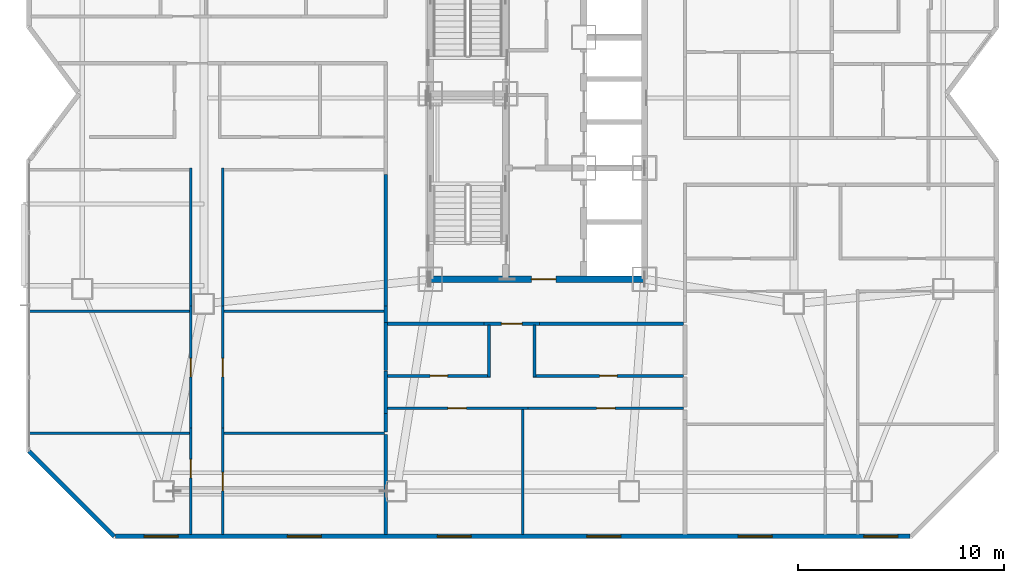
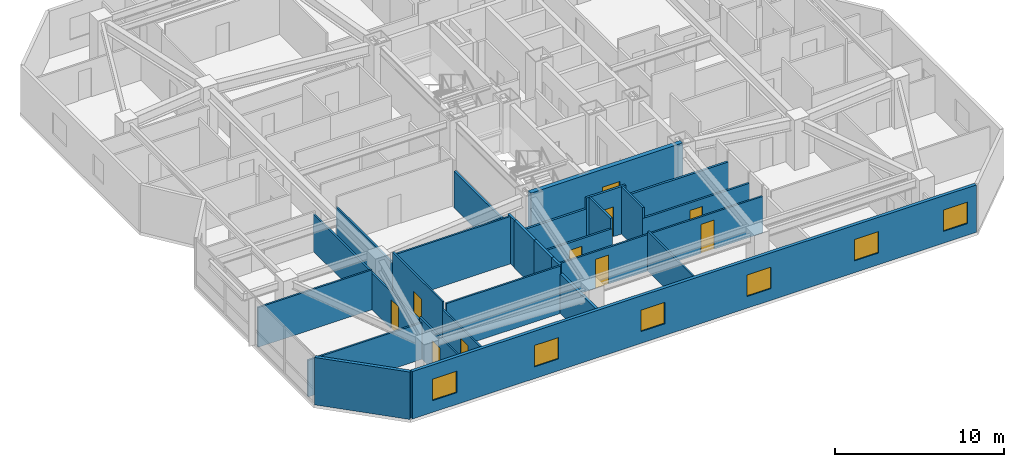
# One storey, part 11 of 17: 29 walls, 10 doors, 6 windows, 16 openings.
"""IFC4 building model written with IfcOpenShell, lengths in metres."""

import ifcopenshell
import ifcopenshell.guid

model = None  # the IFC model being written
_history = None  # IfcOwnerHistory: only IFC2X3 demands one
_inside = {}  # id of a spatial element -> (the spatial element, [elements in it])
_under = {}  # id of a project, library or spatial element -> (it, [spatial elements below it])
_declared = {}  # id of a project -> (the project, [libraries it declares])
_typed = {}  # id of a type object -> (the type object, [elements of that type])
_made_of = {}  # id of a material, layer set ... -> (it, [elements and type objects made of it])


def new_model(schema):
    """Start an empty IFC model of exactly this schema.

    Asked for "IFC4X3", IfcOpenShell would pick the latest addendum, in which some entities
    have other attributes; the version numbers below select the first issue.
    IFC2X3 requires an IfcOwnerHistory on every rooted entity: one is made here for all.
    """
    global model, _history
    if schema == "IFC4X3":
        model = ifcopenshell.file(schema_version=(4, 3, 0, 0))
    else:
        model = ifcopenshell.file(schema=schema)
    _inside.clear()
    _under.clear()
    _declared.clear()
    _typed.clear()
    _made_of.clear()
    _history = None
    if model.schema == "IFC2X3":
        org = make("IfcOrganization", Name="unknown")
        user = make(
            "IfcPersonAndOrganization",
            ThePerson=make("IfcPerson", FamilyName="unknown"),
            TheOrganization=org,
        )
        app = make(
            "IfcApplication",
            ApplicationDeveloper=org,
            Version="unknown",
            ApplicationFullName="unknown",
            ApplicationIdentifier="unknown",
        )
        _history = make(
            "IfcOwnerHistory",
            OwningUser=user,
            OwningApplication=app,
            ChangeAction="ADDED",
            CreationDate=0,
        )
    return model


def make(cls, **values):
    """One entity of the class cls with the attributes given. An attribute that is None is left unset."""
    return model.create_entity(
        cls, **{name: value for name, value in values.items() if value is not None}
    )


def rooted(cls, **values):
    """An entity with a GlobalId (a new one), such as an element, a storey or a relation."""
    return make(cls, GlobalId=ifcopenshell.guid.new(), OwnerHistory=_history, **values)


def si_unit(unit_type, name, prefix=None):
    """IfcSIUnit, for example si_unit("LENGTHUNIT", "METRE", prefix="MILLI")."""
    return make("IfcSIUnit", UnitType=unit_type, Prefix=prefix, Name=name)


def assignment(units):
    """IfcUnitAssignment: the units of a project."""
    return None if units is None else make("IfcUnitAssignment", Units=units)


def point(xyz):
    """IfcCartesianPoint."""
    return None if xyz is None else make("IfcCartesianPoint", Coordinates=xyz)


def direction(xyz):
    """IfcDirection."""
    return None if xyz is None else make("IfcDirection", DirectionRatios=xyz)


def frame(location, z_axis=None, x_axis=None):
    """IfcAxis2Placement3D, a coordinate frame: its origin and axes. An axis left out is left unset."""
    return make(
        "IfcAxis2Placement3D",
        Location=point(location),
        Axis=direction(z_axis),
        RefDirection=direction(x_axis),
    )


def frame_2d(location, x_axis=None):
    """IfcAxis2Placement2D, a coordinate frame in the plane: its origin and x axis."""
    return make(
        "IfcAxis2Placement2D", Location=point(location), RefDirection=direction(x_axis)
    )


def origin():
    """The frame at (0, 0, 0) with its axes left unset."""
    return frame((0.0, 0.0, 0.0))


def place(relative_to, where):
    """IfcLocalPlacement: puts the frame where relative to a parent placement (None: the world)."""
    return make(
        "IfcLocalPlacement", PlacementRelTo=relative_to, RelativePlacement=where
    )


def context(
    kind, dimensions, precision=None, world=None, true_north=None, identifier=None
):
    """IfcGeometricRepresentationContext, for example the 3D "Model" context."""
    return make(
        "IfcGeometricRepresentationContext",
        ContextIdentifier=identifier,
        ContextType=kind,
        CoordinateSpaceDimension=dimensions,
        Precision=precision,
        WorldCoordinateSystem=world,
        TrueNorth=true_north,
    )


def subcontext(parent, identifier, kind, view, scale=None):
    """IfcGeometricRepresentationSubContext, for example "Body" below "Model"."""
    return make(
        "IfcGeometricRepresentationSubContext",
        ContextIdentifier=identifier,
        ContextType=kind,
        ParentContext=parent,
        TargetScale=scale,
        TargetView=view,
    )


def project(units=None, contexts=None):
    """IfcProject with its units and contexts."""
    return rooted(
        "IfcProject",
        Name="project",
        RepresentationContexts=contexts,
        UnitsInContext=assignment(units),
    )


def spatial(cls, under=None, at=None, **own):
    """A site, building, storey or space (cls), placed at a placement, below another one or the project."""
    s = rooted(cls, ObjectPlacement=at, **own)
    if under is not None:
        _under.setdefault(under.id(), (under, []))[1].append(s)
    return s


def profile(cls, at=None, kind="AREA", **sizes):
    """A parametric profile (cls). Its sizes go by their IFC names, for example OverallWidth=200.0."""
    return make(cls, ProfileType=kind, Position=at, **sizes)


def rectangle(**sizes):
    """IfcRectangleProfileDef."""
    return profile("IfcRectangleProfileDef", **sizes)


def extrude(swept, where, along, depth):
    """IfcExtrudedAreaSolid: the profile swept, set in the frame where, extruded along a direction by depth."""
    return make(
        "IfcExtrudedAreaSolid",
        SweptArea=swept,
        Position=where,
        ExtrudedDirection=direction(along),
        Depth=depth,
    )


def shape(context_of_items, identifier, shape_type, items):
    """IfcShapeRepresentation: the items that make up one representation, for example the "Body"."""
    return make(
        "IfcShapeRepresentation",
        ContextOfItems=context_of_items,
        RepresentationIdentifier=identifier,
        RepresentationType=shape_type,
        Items=items,
    )


def material(Name=None, Category=None):
    """IfcMaterial."""
    return make("IfcMaterial", Name=Name, Category=Category)


def layer(
    of_material, thickness, ventilated=None, Name=None, Category=None, Priority=None
):
    """IfcMaterialLayer: one layer of a wall or slab, of a material (None: an air gap)."""
    return make(
        "IfcMaterialLayer",
        Material=of_material,
        LayerThickness=thickness,
        IsVentilated=ventilated,
        Name=Name,
        Category=Category,
        Priority=Priority,
    )


def layer_set(layers, Name=None):
    """IfcMaterialLayerSet."""
    return make("IfcMaterialLayerSet", MaterialLayers=layers, LayerSetName=Name)


def made_of(thing, what):
    """Note that an element or type object is made of a material, layer set ...; save() writes the relation."""
    if what is not None:
        _made_of.setdefault(what.id(), (what, []))[1].append(thing)
    return thing


def type_object(cls, material=None, **own):
    """A type object (cls), such as IfcWallType, which elements share."""
    return made_of(rooted(cls, **own), material)


def element(
    cls,
    number,
    at=None,
    inside=None,
    cuts=None,
    type_object=None,
    material=None,
    context=None,
    identifier="Body",
    shape_type=None,
    held_by="IfcProductDefinitionShape",
    body=None,
    shapes=None,
    **own,
):
    """One element of the class cls, such as IfcWall. Its Tag is "e" and its number.

    at: its placement. inside: the storey or other place that contains it. cuts: it is an
    opening in that element (IfcRelVoidsElement). A single representation is given by context,
    identifier, shape_type and body (its items); several are given by shapes. held_by: the class
    of the entity that holds the representations. save() writes the other relations.
    """
    e = rooted(cls, Tag="e%d" % number, ObjectPlacement=at, **own)
    if body is not None:
        shapes = [shape(context, identifier, shape_type, body)]
    if shapes is not None:
        e.Representation = make(held_by, Representations=shapes)
    if inside is not None:
        _inside.setdefault(inside.id(), (inside, []))[1].append(e)
    if cuts is not None:
        rooted(
            "IfcRelVoidsElement", RelatingBuildingElement=cuts, RelatedOpeningElement=e
        )
    if type_object is not None:
        _typed.setdefault(type_object.id(), (type_object, []))[1].append(e)
    return made_of(e, material)


def fill(opening, filler):
    """IfcRelFillsElement: the door or window that sits in an opening."""
    return rooted(
        "IfcRelFillsElement",
        RelatingOpeningElement=opening,
        RelatedBuildingElement=filler,
    )


def aggregate(whole, parts):
    """IfcRelAggregates: a whole, such as a stair, and the parts it consists of."""
    return rooted("IfcRelAggregates", RelatingObject=whole, RelatedObjects=parts)


def save(model, path):
    """Write the relations noted so far, then the file.

    IfcRelAggregates (storeys below a building ...), IfcRelContainedInSpatialStructure (elements
    in a storey), IfcRelDefinesByType, IfcRelAssociatesMaterial and IfcRelDeclares: one each for
    every whole, place, type object, material and project.
    """
    for whole, parts in _under.values():
        aggregate(whole, parts)
    for where, things in _inside.values():
        rooted(
            "IfcRelContainedInSpatialStructure",
            RelatedElements=things,
            RelatingStructure=where,
        )
    for kind, things in _typed.values():
        rooted("IfcRelDefinesByType", RelatedObjects=things, RelatingType=kind)
    for what, things in _made_of.values():
        rooted("IfcRelAssociatesMaterial", RelatedObjects=things, RelatingMaterial=what)
    for by, libraries in _declared.values():
        rooted("IfcRelDeclares", RelatingContext=by, RelatedDefinitions=libraries)
    model.write(path)


model = new_model("IFC4")

# Units and contexts
model_context = context("Model", 3, precision=1e-05, world=origin(), true_north=direction((0.0, 1.0)))
body_context = subcontext(model_context, "Body", "Model", "MODEL_VIEW")
ifc_project = project(units=[si_unit("LENGTHUNIT", "METRE"), si_unit("AREAUNIT", "SQUARE_METRE"), si_unit("VOLUMEUNIT", "CUBIC_METRE"), si_unit("PLANEANGLEUNIT", "RADIAN"), si_unit("MASSUNIT", "GRAM", prefix="KILO")], contexts=[model_context])

# Site, building, storey
site_placement = place(None, origin())
site = spatial("IfcSite", under=ifc_project, at=site_placement, CompositionType="ELEMENT")
building_placement = place(site_placement, origin())
building = spatial("IfcBuilding", under=site, at=building_placement, Name="Khamvora Tower", CompositionType="ELEMENT")
storey_placement = place(building_placement, frame((0.0, 0.0, 131.10009765625)))
storey = spatial("IfcBuildingStorey", under=building, at=storey_placement, Name="L33", CompositionType="ELEMENT", Elevation=131.10009765625)

# Wall, opening, door
ifc_material_1 = material(Name="Concrete C50/60", Category="concrete")
ifc_layer_1 = layer(ifc_material_1, 0.300048828125)
ifc_layer_set_1 = layer_set([ifc_layer_1], Name="Concrete C50/60")
wall_type_1 = type_object("IfcWallType", Name="WAL-CORE-300", PredefinedType="SHEAR", material=ifc_layer_set_1)
wall_1_placement = place(storey_placement, frame((29.0, 19.0, 0.0), z_axis=(0.0, 0.0, 1.0), x_axis=(1.0, 0.0, 0.0)))
wall_1 = element("IfcWall", 1, at=wall_1_placement, inside=storey, type_object=wall_type_1, Name="L33 central core south wall", PredefinedType="SHEAR", context=body_context, shape_type="SweptSolid", body=[
    extrude(rectangle(XDim=10.39990234375, YDim=0.300048828125, at=frame_2d((5.199951171875, 0.0))), origin(), (0.0, 0.0, 1.0), 3.429931640625),
])
opening_1_placement = place(wall_1_placement, frame((4.89990234375, 0.0, 0.0)))
opening_1 = element("IfcOpeningElement", 2, at=opening_1_placement, cuts=wall_1, Name="Opening D-CR1", PredefinedType="OPENING", context=body_context, shape_type="SweptSolid", body=[
    extrude(rectangle(XDim=1.199951171875, YDim=2.14990234375, at=frame_2d((0.60009765625, 1.074951171875))), frame((0.0, 0.159912109375, 0.0), z_axis=(0.0, -1.0, 0.0), x_axis=(1.0, 0.0, 0.0)), (0.0, 0.0, 1.0), 0.320068359375),
])
ifc_material_2 = material(Name="Powder-Coated Steel and Hardwood Leaf", Category="steel")
door_type_1 = type_object("IfcDoorType", Name="DOR-CORR-1200", OperationType="NOTDEFINED", PredefinedType="DOOR", material=ifc_material_2)
door_1_placement = place(opening_1_placement, origin())
door_1 = element("IfcDoor", 3, at=door_1_placement, inside=storey, type_object=door_type_1, Name="L33 south core lobby to corridor fire door", OperationType="SINGLE_SWING_RIGHT", OverallHeight=2.14990234375, OverallWidth=1.199951171875, PredefinedType="DOOR", context=body_context, shape_type="SweptSolid", body=[
    extrude(rectangle(XDim=1.199951171875, YDim=2.14990234375, at=frame_2d((0.60009765625, 1.074951171875))), frame((0.0, 0.02490234375, 0.0), z_axis=(0.0, -1.0, 0.0), x_axis=(1.0, 0.0, 0.0)), (0.0, 0.0, 1.0), 0.050048828125),
])
fill(opening_1, door_1)

# Walls
ifc_material_3 = material(Name="Fire-Rated Drywall and Steel Stud", Category="steel")
ifc_layer_2 = layer(ifc_material_3, 0.14990234375)
ifc_layer_set_2 = layer_set([ifc_layer_2], Name="Fire-Rated Drywall and Steel Stud")
wall_type_2 = type_object("IfcWallType", Name="WAL-CORR-150", PredefinedType="STANDARD", material=ifc_layer_set_2)
wall_2_placement = place(storey_placement, frame((26.8349609375, 16.89990234375, 0.0), z_axis=(0.0, 0.0, 1.0), x_axis=(0.0, 1.0, 0.0)))
element("IfcWall", 4, at=wall_2_placement, inside=storey, type_object=wall_type_2, Name="L33 interior partition wall 013", PredefinedType="STANDARD", context=body_context, shape_type="SweptSolid", body=[
    extrude(rectangle(XDim=0.7890625, YDim=0.14990234375, at=frame_2d((0.39453125, 0.0))), origin(), (0.0, 0.0, 1.0), 3.429931640625),
])
wall_3_placement = place(storey_placement, frame((26.8349609375, 17.68896484375, 0.0), z_axis=(0.0, 0.0, 1.0), x_axis=(0.0, 1.0, 0.0)))
element("IfcWall", 5, at=wall_3_placement, inside=storey, type_object=wall_type_2, Name="L33 interior partition wall 014", PredefinedType="STANDARD", context=body_context, shape_type="SweptSolid", body=[
    extrude(rectangle(XDim=6.386962890625, YDim=0.14990234375, at=frame_2d((3.193359375, 0.0))), origin(), (0.0, 0.0, 1.0), 2.64697265625),
])

# Wall, opening, door
wall_4_placement = place(storey_placement, frame((34.299072265625, 16.8349609375, 0.0), z_axis=(0.0, 0.0, 1.0), x_axis=(-1.0, 0.0, 0.0)))
wall_4 = element("IfcWall", 6, at=wall_4_placement, inside=storey, type_object=wall_type_2, Name="L33 interior partition wall 022", PredefinedType="STANDARD", context=body_context, shape_type="SweptSolid", body=[
    extrude(rectangle(XDim=2.697998046875, YDim=0.14990234375, at=frame_2d((1.34912109375, 0.0))), origin(), (0.0, 0.0, 1.0), 3.429931640625),
])
opening_2_placement = place(wall_4_placement, frame((0.84912109375, 0.0, 0.0)))
opening_2 = element("IfcOpeningElement", 7, at=opening_2_placement, cuts=wall_4, Name="Opening D-U1", PredefinedType="OPENING", context=body_context, shape_type="SweptSolid", body=[
    extrude(rectangle(XDim=1.0, YDim=2.14990234375, at=frame_2d((0.5, 1.074951171875))), frame((0.0, 0.0849609375, 0.0), z_axis=(0.0, -1.0, 0.0), x_axis=(1.0, 0.0, 0.0)), (0.0, 0.0, 1.0), 0.169921875),
])
door_type_2 = type_object("IfcDoorType", Name="DOR-UNIT-1000", OperationType="NOTDEFINED", PredefinedType="DOOR", material=ifc_material_2)
door_2_placement = place(opening_2_placement, origin())
door_2 = element("IfcDoor", 8, at=door_2_placement, inside=storey, type_object=door_type_2, Name="L33 interior door COR-33SAH", OperationType="SINGLE_SWING_RIGHT", OverallHeight=2.14990234375, OverallWidth=1.0, PredefinedType="DOOR", context=body_context, shape_type="SweptSolid", body=[
    extrude(rectangle(XDim=1.0, YDim=2.14990234375, at=frame_2d((0.5, 1.074951171875))), frame((0.0, 0.02490234375, 0.0), z_axis=(0.0, -1.0, 0.0), x_axis=(1.0, 0.0, 0.0)), (0.0, 0.0, 1.0), 0.050048828125),
])
fill(opening_2, door_2)

# Walls
wall_5_placement = place(storey_placement, frame((31.60107421875, 16.8349609375, 0.0), z_axis=(0.0, 0.0, 1.0), x_axis=(-1.0, 0.0, 0.0)))
element("IfcWall", 9, at=wall_5_placement, inside=storey, type_object=wall_type_2, Name="L33 interior partition wall 023", PredefinedType="STANDARD", context=body_context, shape_type="SweptSolid", body=[
    extrude(rectangle(XDim=4.701171875, YDim=0.14990234375, at=frame_2d((2.3505859375, 0.0))), origin(), (0.0, 0.0, 1.0), 2.64697265625),
])
wall_6_placement = place(storey_placement, frame((41.300048828125, 16.8349609375, 0.0), z_axis=(0.0, 0.0, 1.0), x_axis=(-1.0, 0.0, 0.0)))
element("IfcWall", 10, at=wall_6_placement, inside=storey, type_object=wall_type_2, Name="L33 interior partition wall 024", PredefinedType="STANDARD", context=body_context, shape_type="SweptSolid", body=[
    extrude(rectangle(XDim=7.0009765625, YDim=0.14990234375, at=frame_2d((3.50048828125, 0.0))), origin(), (0.0, 0.0, 1.0), 2.64697265625),
])
ifc_material_4 = material(Name="Acoustic Double-Stud Fire Wall", Category="gypsum")
ifc_layer_3 = layer(ifc_material_4, 0.179931640625)
ifc_layer_set_3 = layer_set([ifc_layer_3], Name="Acoustic Double-Stud Fire Wall")
wall_type_3 = type_object("IfcWallType", Name="WAL-CORR-180", PredefinedType="STANDARD", material=ifc_layer_set_3)
wall_7_placement = place(storey_placement, frame((26.8349609375, 11.4580078125, 0.0), z_axis=(0.0, 0.0, 1.0), x_axis=(0.0, -1.0, 0.0)))
element("IfcWall", 11, at=wall_7_placement, inside=storey, type_object=wall_type_3, Name="L33 interior partition wall 063", PredefinedType="STANDARD", context=body_context, shape_type="SweptSolid", body=[
    extrude(rectangle(XDim=4.845947265625, YDim=0.179931640625, at=frame_2d((2.4228515625, 0.0))), origin(), (0.0, 0.0, 1.0), 2.8759765625),
])
wall_8_placement = place(storey_placement, frame((26.8349609375, 14.553955078125, 0.0), z_axis=(0.0, 0.0, 1.0), x_axis=(0.0, -1.0, 0.0)))
element("IfcWall", 12, at=wall_8_placement, inside=storey, type_object=wall_type_3, Name="L33 interior partition wall 065", PredefinedType="STANDARD", context=body_context, shape_type="SweptSolid", body=[
    extrude(rectangle(XDim=2.077880859375, YDim=0.179931640625, at=frame_2d((1.0390625, 0.0))), origin(), (0.0, 0.0, 1.0), 3.429931640625),
])
wall_9_placement = place(storey_placement, frame((26.8349609375, 16.89990234375, 0.0), z_axis=(0.0, 0.0, 1.0), x_axis=(0.0, -1.0, 0.0)))
element("IfcWall", 13, at=wall_9_placement, inside=storey, type_object=wall_type_3, Name="L33 interior partition wall 066", PredefinedType="STANDARD", context=body_context, shape_type="SweptSolid", body=[
    extrude(rectangle(XDim=2.345947265625, YDim=0.179931640625, at=frame_2d((1.1728515625, 0.0))), origin(), (0.0, 0.0, 1.0), 3.429931640625),
])
wall_10_placement = place(storey_placement, frame((26.8349609375, 12.47607421875, 0.0), z_axis=(0.0, 0.0, 1.0), x_axis=(0.0, -1.0, 0.0)))
element("IfcWall", 14, at=wall_10_placement, inside=storey, type_object=wall_type_3, Name="L33 interior partition wall 067", PredefinedType="STANDARD", context=body_context, shape_type="SweptSolid", body=[
    extrude(rectangle(XDim=0.88818359375, YDim=0.179931640625, at=frame_2d((0.444091796875, 0.0))), origin(), (0.0, 0.0, 1.0), 3.429931640625),
])
ifc_material_5 = material(Name="Precast concrete C40/50", Category="concrete")
ifc_layer_4 = layer(ifc_material_5, 0.219970703125)
ifc_layer_set_4 = layer_set([ifc_layer_4], Name="Precast concrete C40/50")
wall_type_4 = type_object("IfcWallType", Name="WAL-EXT-220", PredefinedType="STANDARD", material=ifc_layer_set_4)
wall_11_placement = place(storey_placement, frame((13.64599609375, 6.510009765625, 0.0), z_axis=(0.0, 0.0, 1.0), x_axis=(-0.707106781187, 0.707106781187, 0.0)))
element("IfcWall", 15, at=wall_11_placement, inside=storey, type_object=wall_type_4, Name="L33 exterior facade wall 01.1", PredefinedType="STANDARD", context=body_context, shape_type="SweptSolid", body=[
    extrude(rectangle(XDim=5.84912109375, YDim=0.219970703125, at=frame_2d((2.924560546875, 0.0))), origin(), (0.0, 0.0, 1.0), 3.429931640625),
])

# Wall, openings, windows
wall_12_placement = place(storey_placement, frame((52.282958984375, 6.510009765625, 0.0), z_axis=(0.0, 0.0, 1.0), x_axis=(-1.0, 0.0, 0.0)))
wall_12 = element("IfcWall", 16, at=wall_12_placement, inside=storey, type_object=wall_type_4, Name="L33 exterior facade wall 14.1", PredefinedType="STANDARD", context=body_context, shape_type="SweptSolid", body=[
    extrude(rectangle(XDim=38.56787109375, YDim=0.219970703125, at=frame_2d((19.283935546875, 0.0))), origin(), (0.0, 0.0, 1.0), 3.429931640625),
])
opening_3_placement = place(wall_12_placement, frame((35.530029296875, 0.0, 0.85009765625)))
opening_3 = element("IfcOpeningElement", 17, at=opening_3_placement, cuts=wall_12, Name="Opening WN-06", PredefinedType="OPENING", context=body_context, shape_type="SweptSolid", body=[
    extrude(rectangle(XDim=1.64990234375, YDim=1.550048828125, at=frame_2d((0.824951171875, 0.77490234375))), frame((0.0, 0.119873046875, 0.0), z_axis=(0.0, -1.0, 0.0), x_axis=(1.0, 0.0, 0.0)), (0.0, 0.0, 1.0), 0.239990234375),
])
opening_4_placement = place(wall_12_placement, frame((28.577880859375, 0.0, 0.85009765625)))
opening_4 = element("IfcOpeningElement", 18, at=opening_4_placement, cuts=wall_12, Name="Opening WN-06", PredefinedType="OPENING", context=body_context, shape_type="SweptSolid", body=[
    extrude(rectangle(XDim=1.64990234375, YDim=1.550048828125, at=frame_2d((0.824951171875, 0.77490234375))), frame((0.0, 0.119873046875, 0.0), z_axis=(0.0, -1.0, 0.0), x_axis=(1.0, 0.0, 0.0)), (0.0, 0.0, 1.0), 0.239990234375),
])
opening_5_placement = place(wall_12_placement, frame((21.298095703125, 0.0, 0.85009765625)))
opening_5 = element("IfcOpeningElement", 19, at=opening_5_placement, cuts=wall_12, Name="Opening WN-06", PredefinedType="OPENING", context=body_context, shape_type="SweptSolid", body=[
    extrude(rectangle(XDim=1.64990234375, YDim=1.550048828125, at=frame_2d((0.824951171875, 0.77490234375))), frame((0.0, 0.119873046875, 0.0), z_axis=(0.0, -1.0, 0.0), x_axis=(1.0, 0.0, 0.0)), (0.0, 0.0, 1.0), 0.239990234375),
])
opening_6_placement = place(wall_12_placement, frame((14.032958984375, 0.0, 0.85009765625)))
opening_6 = element("IfcOpeningElement", 20, at=opening_6_placement, cuts=wall_12, Name="Opening WN-06", PredefinedType="OPENING", context=body_context, shape_type="SweptSolid", body=[
    extrude(rectangle(XDim=1.64990234375, YDim=1.550048828125, at=frame_2d((0.824951171875, 0.77490234375))), frame((0.0, 0.119873046875, 0.0), z_axis=(0.0, -1.0, 0.0), x_axis=(1.0, 0.0, 0.0)), (0.0, 0.0, 1.0), 0.239990234375),
])
opening_7_placement = place(wall_12_placement, frame((6.68798828125, 0.0, 0.85009765625)))
opening_7 = element("IfcOpeningElement", 21, at=opening_7_placement, cuts=wall_12, Name="Opening WN-06", PredefinedType="OPENING", context=body_context, shape_type="SweptSolid", body=[
    extrude(rectangle(XDim=1.64990234375, YDim=1.550048828125, at=frame_2d((0.824951171875, 0.77490234375))), frame((0.0, 0.119873046875, 0.0), z_axis=(0.0, -1.0, 0.0), x_axis=(1.0, 0.0, 0.0)), (0.0, 0.0, 1.0), 0.239990234375),
])
opening_8_placement = place(wall_12_placement, frame((0.5869140625, 0.0, 0.85009765625)))
opening_8 = element("IfcOpeningElement", 22, at=opening_8_placement, cuts=wall_12, Name="Opening WN-06", PredefinedType="OPENING", context=body_context, shape_type="SweptSolid", body=[
    extrude(rectangle(XDim=1.64990234375, YDim=1.550048828125, at=frame_2d((0.824951171875, 0.77490234375))), frame((0.0, 0.119873046875, 0.0), z_axis=(0.0, -1.0, 0.0), x_axis=(1.0, 0.0, 0.0)), (0.0, 0.0, 1.0), 0.239990234375),
])
ifc_material_6 = material(Name="Low-E Laminated Double Glazing", Category="glass")
window_type = type_object("IfcWindowType", Name="WIN-VIS-1650x1550", PartitioningType="SINGLE_PANEL", PredefinedType="WINDOW", material=ifc_material_6)
window_1_placement = place(opening_3_placement, origin())
window_1 = element("IfcWindow", 23, at=window_1_placement, inside=storey, type_object=window_type, Name="L33 vision window 14.1.01", OverallHeight=1.550048828125, OverallWidth=1.64990234375, PartitioningType="SINGLE_PANEL", PredefinedType="WINDOW", context=body_context, shape_type="SweptSolid", body=[
    extrude(rectangle(XDim=1.64990234375, YDim=1.550048828125, at=frame_2d((0.824951171875, 0.77490234375))), frame((0.0, 0.030029296875, 0.0), z_axis=(0.0, -1.0, 0.0), x_axis=(1.0, 0.0, 0.0)), (0.0, 0.0, 1.0), 0.06005859375),
])
fill(opening_3, window_1)
window_2_placement = place(opening_4_placement, origin())
window_2 = element("IfcWindow", 24, at=window_2_placement, inside=storey, type_object=window_type, Name="L33 vision window 14.1.02", OverallHeight=1.550048828125, OverallWidth=1.64990234375, PartitioningType="SINGLE_PANEL", PredefinedType="WINDOW", context=body_context, shape_type="SweptSolid", body=[
    extrude(rectangle(XDim=1.64990234375, YDim=1.550048828125, at=frame_2d((0.824951171875, 0.77490234375))), frame((0.0, 0.030029296875, 0.0), z_axis=(0.0, -1.0, 0.0), x_axis=(1.0, 0.0, 0.0)), (0.0, 0.0, 1.0), 0.06005859375),
])
fill(opening_4, window_2)
window_3_placement = place(opening_5_placement, origin())
window_3 = element("IfcWindow", 25, at=window_3_placement, inside=storey, type_object=window_type, Name="L33 vision window 14.1.03", OverallHeight=1.550048828125, OverallWidth=1.64990234375, PartitioningType="SINGLE_PANEL", PredefinedType="WINDOW", context=body_context, shape_type="SweptSolid", body=[
    extrude(rectangle(XDim=1.64990234375, YDim=1.550048828125, at=frame_2d((0.824951171875, 0.77490234375))), frame((0.0, 0.030029296875, 0.0), z_axis=(0.0, -1.0, 0.0), x_axis=(1.0, 0.0, 0.0)), (0.0, 0.0, 1.0), 0.06005859375),
])
fill(opening_5, window_3)
window_4_placement = place(opening_6_placement, origin())
window_4 = element("IfcWindow", 26, at=window_4_placement, inside=storey, type_object=window_type, Name="L33 vision window 14.1.04", OverallHeight=1.550048828125, OverallWidth=1.64990234375, PartitioningType="SINGLE_PANEL", PredefinedType="WINDOW", context=body_context, shape_type="SweptSolid", body=[
    extrude(rectangle(XDim=1.64990234375, YDim=1.550048828125, at=frame_2d((0.824951171875, 0.77490234375))), frame((0.0, 0.030029296875, 0.0), z_axis=(0.0, -1.0, 0.0), x_axis=(1.0, 0.0, 0.0)), (0.0, 0.0, 1.0), 0.06005859375),
])
fill(opening_6, window_4)
window_5_placement = place(opening_7_placement, origin())
window_5 = element("IfcWindow", 27, at=window_5_placement, inside=storey, type_object=window_type, Name="L33 vision window 14.1.05", OverallHeight=1.550048828125, OverallWidth=1.64990234375, PartitioningType="SINGLE_PANEL", PredefinedType="WINDOW", context=body_context, shape_type="SweptSolid", body=[
    extrude(rectangle(XDim=1.64990234375, YDim=1.550048828125, at=frame_2d((0.824951171875, 0.77490234375))), frame((0.0, 0.030029296875, 0.0), z_axis=(0.0, -1.0, 0.0), x_axis=(1.0, 0.0, 0.0)), (0.0, 0.0, 1.0), 0.06005859375),
])
fill(opening_7, window_5)
window_6_placement = place(opening_8_placement, origin())
window_6 = element("IfcWindow", 28, at=window_6_placement, inside=storey, type_object=window_type, Name="L33 vision window 14.1.06", OverallHeight=1.550048828125, OverallWidth=1.64990234375, PartitioningType="SINGLE_PANEL", PredefinedType="WINDOW", context=body_context, shape_type="SweptSolid", body=[
    extrude(rectangle(XDim=1.64990234375, YDim=1.550048828125, at=frame_2d((0.824951171875, 0.77490234375))), frame((0.0, 0.030029296875, 0.0), z_axis=(0.0, -1.0, 0.0), x_axis=(1.0, 0.0, 0.0)), (0.0, 0.0, 1.0), 0.06005859375),
])
fill(opening_8, window_6)

# Wall, opening, door
ifc_material_7 = material(Name="Gypsum Plasterboard Partition", Category="gypsum")
ifc_layer_5 = layer(ifc_material_7, 0.1201171875)
ifc_layer_set_5 = layer_set([ifc_layer_5], Name="Gypsum Plasterboard Partition")
wall_type_5 = type_object("IfcWallType", Name="WAL-PART-120", PredefinedType="PARTITIONING", material=ifc_layer_set_5)
wall_13_placement = place(storey_placement, frame((17.35498046875, 6.612060546875, 0.0), z_axis=(0.0, 0.0, 1.0), x_axis=(0.0, 1.0, 0.0)))
wall_13 = element("IfcWall", 29, at=wall_13_placement, inside=storey, type_object=wall_type_5, Name="L33 interior partition wall 052", PredefinedType="PARTITIONING", context=body_context, shape_type="SweptSolid", body=[
    extrude(rectangle(XDim=5.159912109375, YDim=0.1201171875, at=frame_2d((2.580078125, 0.0))), origin(), (0.0, 0.0, 1.0), 2.8759765625),
])
opening_9_placement = place(wall_13_placement, frame((2.737060546875, 0.0, 0.0)))
opening_9 = element("IfcOpeningElement", 30, at=opening_9_placement, cuts=wall_13, Name="Opening D-RM1", PredefinedType="OPENING", context=body_context, shape_type="SweptSolid", body=[
    extrude(rectangle(XDim=0.89990234375, YDim=2.10009765625, at=frame_2d((0.449951171875, 1.050048828125))), frame((0.0, 0.070068359375, 0.0), z_axis=(0.0, -1.0, 0.0), x_axis=(1.0, 0.0, 0.0)), (0.0, 0.0, 1.0), 0.14013671875),
])
door_type_3 = type_object("IfcDoorType", Name="DOR-ROOM-900", OperationType="NOTDEFINED", PredefinedType="DOOR", material=ifc_material_2)
door_3_placement = place(opening_9_placement, origin())
door_3 = element("IfcDoor", 31, at=door_3_placement, inside=storey, type_object=door_type_3, Name="L33 interior door 33WAH-33WAL", OperationType="SINGLE_SWING_RIGHT", OverallHeight=2.10009765625, OverallWidth=0.89990234375, PredefinedType="DOOR", context=body_context, shape_type="SweptSolid", body=[
    extrude(rectangle(XDim=0.89990234375, YDim=2.10009765625, at=frame_2d((0.449951171875, 1.050048828125))), frame((0.0, 0.02490234375, 0.0), z_axis=(0.0, -1.0, 0.0), x_axis=(1.0, 0.0, 0.0)), (0.0, 0.0, 1.0), 0.050048828125),
])
fill(opening_9, door_3)

wall_14_placement = place(storey_placement, frame((17.35498046875, 11.77197265625, 0.0), z_axis=(0.0, 0.0, 1.0), x_axis=(0.0, 1.0, 0.0)))
wall_14 = element("IfcWall", 32, at=wall_14_placement, inside=storey, type_object=wall_type_5, Name="L33 interior partition wall 053", PredefinedType="PARTITIONING", context=body_context, shape_type="SweptSolid", body=[
    extrude(rectangle(XDim=5.9169921875, YDim=0.1201171875, at=frame_2d((2.95849609375, 0.0))), origin(), (0.0, 0.0, 1.0), 2.64697265625),
])
opening_10_placement = place(wall_14_placement, frame((2.487060546875, 0.0, 0.0)))
opening_10 = element("IfcOpeningElement", 33, at=opening_10_placement, cuts=wall_14, Name="Opening D-RM1", PredefinedType="OPENING", context=body_context, shape_type="SweptSolid", body=[
    extrude(rectangle(XDim=0.89990234375, YDim=2.10009765625, at=frame_2d((0.449951171875, 1.050048828125))), frame((0.0, 0.070068359375, 0.0), z_axis=(0.0, -1.0, 0.0), x_axis=(1.0, 0.0, 0.0)), (0.0, 0.0, 1.0), 0.14013671875),
])
door_4_placement = place(opening_10_placement, origin())
door_4 = element("IfcDoor", 34, at=door_4_placement, inside=storey, type_object=door_type_3, Name="L33 interior door 33WAH-33WAR2", OperationType="SINGLE_SWING_LEFT", OverallHeight=2.10009765625, OverallWidth=0.89990234375, PredefinedType="DOOR", context=body_context, shape_type="SweptSolid", body=[
    extrude(rectangle(XDim=0.89990234375, YDim=2.10009765625, at=frame_2d((0.449951171875, 1.050048828125))), frame((0.0, 0.02490234375, 0.0), z_axis=(0.0, -1.0, 0.0), x_axis=(1.0, 0.0, 0.0)), (0.0, 0.0, 1.0), 0.050048828125),
])
fill(opening_10, door_4)

# Wall
wall_15_placement = place(storey_placement, frame((17.35498046875, 17.68896484375, 0.0), z_axis=(0.0, 0.0, 1.0), x_axis=(0.0, 1.0, 0.0)))
element("IfcWall", 35, at=wall_15_placement, inside=storey, type_object=wall_type_5, Name="L33 interior partition wall 054", PredefinedType="PARTITIONING", context=body_context, shape_type="SweptSolid", body=[
    extrude(rectangle(XDim=6.700927734375, YDim=0.1201171875, at=frame_2d((3.3505859375, 0.0))), origin(), (0.0, 0.0, 1.0), 2.68701171875),
])

# Wall, opening, door
wall_16_placement = place(storey_placement, frame((18.925048828125, 11.77197265625, 0.0), z_axis=(0.0, 0.0, 1.0), x_axis=(0.0, -1.0, 0.0)))
wall_16 = element("IfcWall", 36, at=wall_16_placement, inside=storey, type_object=wall_type_5, Name="L33 interior partition wall 056", PredefinedType="PARTITIONING", context=body_context, shape_type="SweptSolid", body=[
    extrude(rectangle(XDim=5.159912109375, YDim=0.1201171875, at=frame_2d((2.580078125, 0.0))), origin(), (0.0, 0.0, 1.0), 2.8759765625),
])
opening_11_placement = place(wall_16_placement, frame((2.15087890625, 0.0, 0.0)))
opening_11 = element("IfcOpeningElement", 37, at=opening_11_placement, cuts=wall_16, Name="Opening D-RM1", PredefinedType="OPENING", context=body_context, shape_type="SweptSolid", body=[
    extrude(rectangle(XDim=0.89990234375, YDim=2.10009765625, at=frame_2d((0.449951171875, 1.050048828125))), frame((0.0, 0.070068359375, 0.0), z_axis=(0.0, -1.0, 0.0), x_axis=(1.0, 0.0, 0.0)), (0.0, 0.0, 1.0), 0.14013671875),
])
door_5_placement = place(opening_11_placement, origin())
door_5 = element("IfcDoor", 38, at=door_5_placement, inside=storey, type_object=door_type_3, Name="L33 interior door 33WAH-33WAR4", OperationType="SINGLE_SWING_LEFT", OverallHeight=2.10009765625, OverallWidth=0.89990234375, PredefinedType="DOOR", context=body_context, shape_type="SweptSolid", body=[
    extrude(rectangle(XDim=0.89990234375, YDim=2.10009765625, at=frame_2d((0.449951171875, 1.050048828125))), frame((0.0, 0.02490234375, 0.0), z_axis=(0.0, -1.0, 0.0), x_axis=(1.0, 0.0, 0.0)), (0.0, 0.0, 1.0), 0.050048828125),
])
fill(opening_11, door_5)

wall_17_placement = place(storey_placement, frame((18.925048828125, 17.68896484375, 0.0), z_axis=(0.0, 0.0, 1.0), x_axis=(0.0, -1.0, 0.0)))
wall_17 = element("IfcWall", 39, at=wall_17_placement, inside=storey, type_object=wall_type_5, Name="L33 interior partition wall 057", PredefinedType="PARTITIONING", context=body_context, shape_type="SweptSolid", body=[
    extrude(rectangle(XDim=5.9169921875, YDim=0.1201171875, at=frame_2d((2.95849609375, 0.0))), origin(), (0.0, 0.0, 1.0), 3.429931640625),
])
opening_12_placement = place(wall_17_placement, frame((2.530029296875, 0.0, 0.0)))
opening_12 = element("IfcOpeningElement", 40, at=opening_12_placement, cuts=wall_17, Name="Opening D-RM1", PredefinedType="OPENING", context=body_context, shape_type="SweptSolid", body=[
    extrude(rectangle(XDim=0.89990234375, YDim=2.10009765625, at=frame_2d((0.449951171875, 1.050048828125))), frame((0.0, 0.070068359375, 0.0), z_axis=(0.0, -1.0, 0.0), x_axis=(1.0, 0.0, 0.0)), (0.0, 0.0, 1.0), 0.14013671875),
])
door_6_placement = place(opening_12_placement, origin())
door_6 = element("IfcDoor", 41, at=door_6_placement, inside=storey, type_object=door_type_3, Name="L33 interior door 33WAH-33WAR5", OperationType="SINGLE_SWING_RIGHT", OverallHeight=2.10009765625, OverallWidth=0.89990234375, PredefinedType="DOOR", context=body_context, shape_type="SweptSolid", body=[
    extrude(rectangle(XDim=0.89990234375, YDim=2.10009765625, at=frame_2d((0.449951171875, 1.050048828125))), frame((0.0, 0.02490234375, 0.0), z_axis=(0.0, -1.0, 0.0), x_axis=(1.0, 0.0, 0.0)), (0.0, 0.0, 1.0), 0.050048828125),
])
fill(opening_12, door_6)

# Walls
wall_18_placement = place(storey_placement, frame((18.925048828125, 24.389892578125, 0.0), z_axis=(0.0, 0.0, 1.0), x_axis=(0.0, -1.0, 0.0)))
element("IfcWall", 42, at=wall_18_placement, inside=storey, type_object=wall_type_5, Name="L33 interior partition wall 059", PredefinedType="PARTITIONING", context=body_context, shape_type="SweptSolid", body=[
    extrude(rectangle(XDim=6.700927734375, YDim=0.1201171875, at=frame_2d((3.3505859375, 0.0))), origin(), (0.0, 0.0, 1.0), 2.64697265625),
])
wall_19_placement = place(storey_placement, frame((9.510009765625, 11.52294921875, 0.0), z_axis=(0.0, 0.0, 1.0), x_axis=(1.0, 0.0, 0.0)))
element("IfcWall", 43, at=wall_19_placement, inside=storey, type_object=wall_type_5, Name="L33 interior partition wall 060", PredefinedType="PARTITIONING", context=body_context, shape_type="SweptSolid", body=[
    extrude(rectangle(XDim=7.791015625, YDim=0.1201171875, at=frame_2d((3.8955078125, 0.0))), origin(), (0.0, 0.0, 1.0), 2.64697265625),
])
wall_20_placement = place(storey_placement, frame((9.510009765625, 17.43896484375, 0.0), z_axis=(0.0, 0.0, 1.0), x_axis=(1.0, 0.0, 0.0)))
element("IfcWall", 44, at=wall_20_placement, inside=storey, type_object=wall_type_5, Name="L33 interior partition wall 061", PredefinedType="PARTITIONING", context=body_context, shape_type="SweptSolid", body=[
    extrude(rectangle(XDim=7.791015625, YDim=0.1201171875, at=frame_2d((3.8955078125, 0.0))), origin(), (0.0, 0.0, 1.0), 2.8759765625),
])
for number, where, z_axis, x_axis, name in (
    (45, (18.97900390625, 11.52294921875, 0.0), (0.0, 0.0, 1.0), (1.0, 0.0, 0.0), "L33 interior partition wall 062"),
    (46, (18.97900390625, 17.43896484375, 0.0), (0.0, 0.0, 1.0), (1.0, 0.0, 0.0), "L33 interior partition wall 064"),
):
    element("IfcWall", number, at=place(storey_placement, frame(where, z_axis=z_axis, x_axis=x_axis)), inside=storey, type_object=wall_type_5, Name=name, PredefinedType="PARTITIONING", context=body_context, shape_type="SweptSolid", body=[
        extrude(rectangle(XDim=7.791015625, YDim=0.1201171875, at=frame_2d((3.8955078125, 0.0))), origin(), (0.0, 0.0, 1.0), 3.429931640625),
    ])

# Wall, opening, door
wall_21_placement = place(storey_placement, frame((33.73388671875, 12.72509765625, 0.0), z_axis=(0.0, 0.0, 1.0), x_axis=(-1.0, 0.0, 0.0)))
wall_21 = element("IfcWall", 47, at=wall_21_placement, inside=storey, type_object=wall_type_5, Name="L33 interior partition wall 086", PredefinedType="PARTITIONING", context=body_context, shape_type="SweptSolid", body=[
    extrude(rectangle(XDim=6.81689453125, YDim=0.1201171875, at=frame_2d((3.408447265625, 0.0))), origin(), (0.0, 0.0, 1.0), 2.64697265625),
])
opening_13_placement = place(wall_21_placement, frame((2.97998046875, 0.0, 0.0)))
opening_13 = element("IfcOpeningElement", 48, at=opening_13_placement, cuts=wall_21, Name="Opening D-RM1", PredefinedType="OPENING", context=body_context, shape_type="SweptSolid", body=[
    extrude(rectangle(XDim=0.89990234375, YDim=2.10009765625, at=frame_2d((0.449951171875, 1.050048828125))), frame((0.0, 0.070068359375, 0.0), z_axis=(0.0, -1.0, 0.0), x_axis=(1.0, 0.0, 0.0)), (0.0, 0.0, 1.0), 0.14013671875),
])
door_7_placement = place(opening_13_placement, origin())
door_7 = element("IfcDoor", 49, at=door_7_placement, inside=storey, type_object=door_type_3, Name="L33 interior door 33SAH-33SAR1", OperationType="SINGLE_SWING_RIGHT", OverallHeight=2.10009765625, OverallWidth=0.89990234375, PredefinedType="DOOR", context=body_context, shape_type="SweptSolid", body=[
    extrude(rectangle(XDim=0.89990234375, YDim=2.10009765625, at=frame_2d((0.449951171875, 1.050048828125))), frame((0.0, 0.02490234375, 0.0), z_axis=(0.0, -1.0, 0.0), x_axis=(1.0, 0.0, 0.0)), (0.0, 0.0, 1.0), 0.050048828125),
])
fill(opening_13, door_7)

wall_22_placement = place(storey_placement, frame((41.300048828125, 12.72509765625, 0.0), z_axis=(0.0, 0.0, 1.0), x_axis=(-1.0, 0.0, 0.0)))
wall_22 = element("IfcWall", 50, at=wall_22_placement, inside=storey, type_object=wall_type_5, Name="L33 interior partition wall 087", PredefinedType="PARTITIONING", context=body_context, shape_type="SweptSolid", body=[
    extrude(rectangle(XDim=7.566162109375, YDim=0.1201171875, at=frame_2d((3.783203125, 0.0))), origin(), (0.0, 0.0, 1.0), 2.64697265625),
])
opening_14_placement = place(wall_22_placement, frame((3.3330078125, 0.0, 0.0)))
opening_14 = element("IfcOpeningElement", 51, at=opening_14_placement, cuts=wall_22, Name="Opening D-RM1", PredefinedType="OPENING", context=body_context, shape_type="SweptSolid", body=[
    extrude(rectangle(XDim=0.89990234375, YDim=2.10009765625, at=frame_2d((0.449951171875, 1.050048828125))), frame((0.0, 0.070068359375, 0.0), z_axis=(0.0, -1.0, 0.0), x_axis=(1.0, 0.0, 0.0)), (0.0, 0.0, 1.0), 0.14013671875),
])
door_8_placement = place(opening_14_placement, origin())
door_8 = element("IfcDoor", 52, at=door_8_placement, inside=storey, type_object=door_type_3, Name="L33 interior door 33SAH-33SAR2", OperationType="SINGLE_SWING_LEFT", OverallHeight=2.10009765625, OverallWidth=0.89990234375, PredefinedType="DOOR", context=body_context, shape_type="SweptSolid", body=[
    extrude(rectangle(XDim=0.89990234375, YDim=2.10009765625, at=frame_2d((0.449951171875, 1.050048828125))), frame((0.0, 0.02490234375, 0.0), z_axis=(0.0, -1.0, 0.0), x_axis=(1.0, 0.0, 0.0)), (0.0, 0.0, 1.0), 0.050048828125),
])
fill(opening_14, door_8)

# Wall
wall_23_placement = place(storey_placement, frame((33.48388671875, 12.6708984375, 0.0), z_axis=(0.0, 0.0, 1.0), x_axis=(0.0, -1.0, 0.0)))
element("IfcWall", 53, at=wall_23_placement, inside=storey, type_object=wall_type_5, Name="L33 interior partition wall 090", PredefinedType="PARTITIONING", context=body_context, shape_type="SweptSolid", body=[
    extrude(rectangle(XDim=6.058837890625, YDim=0.1201171875, at=frame_2d((3.029296875, 0.0))), origin(), (0.0, 0.0, 1.0), 2.8759765625),
])

# Wall, opening, door
ifc_material_8 = material(Name="Moisture-Resistant Plasterboard Partition", Category="gypsum")
ifc_layer_6 = layer(ifc_material_8, 0.135009765625)
ifc_layer_set_6 = layer_set([ifc_layer_6], Name="Moisture-Resistant Plasterboard Partition")
wall_type_6 = type_object("IfcWallType", Name="WAL-WET-135", PredefinedType="PARTITIONING", material=ifc_layer_set_6)
wall_24_placement = place(storey_placement, frame((26.9169921875, 14.304931640625, 0.0), z_axis=(0.0, 0.0, 1.0), x_axis=(1.0, 0.0, 0.0)))
wall_24 = element("IfcWall", 54, at=wall_24_placement, inside=storey, type_object=wall_type_6, Name="L33 interior partition wall 082", PredefinedType="PARTITIONING", context=body_context, shape_type="SweptSolid", body=[
    extrude(rectangle(XDim=4.998046875, YDim=0.135009765625, at=frame_2d((2.4990234375, 0.0))), origin(), (0.0, 0.0, 1.0), 2.64697265625),
])
opening_15_placement = place(wall_24_placement, frame((2.073974609375, 0.0, 0.0)))
opening_15 = element("IfcOpeningElement", 55, at=opening_15_placement, cuts=wall_24, Name="Opening D-WC1", PredefinedType="OPENING", context=body_context, shape_type="SweptSolid", body=[
    extrude(rectangle(XDim=0.85009765625, YDim=2.10009765625, at=frame_2d((0.425048828125, 1.050048828125))), frame((0.0, 0.077392578125, 0.0), z_axis=(0.0, -1.0, 0.0), x_axis=(1.0, 0.0, 0.0)), (0.0, 0.0, 1.0), 0.155029296875),
])
door_type_4 = type_object("IfcDoorType", Name="DOR-WET-850", OperationType="NOTDEFINED", PredefinedType="DOOR", material=ifc_material_2)
door_9_placement = place(opening_15_placement, origin())
door_9 = element("IfcDoor", 56, at=door_9_placement, inside=storey, type_object=door_type_4, Name="L33 interior door 33SAH-33SAB", OperationType="SINGLE_SWING_RIGHT", OverallHeight=2.10009765625, OverallWidth=0.85009765625, PredefinedType="DOOR", context=body_context, shape_type="SweptSolid", body=[
    extrude(rectangle(XDim=0.85009765625, YDim=2.10009765625, at=frame_2d((0.425048828125, 1.050048828125))), frame((0.0, 0.02490234375, 0.0), z_axis=(0.0, -1.0, 0.0), x_axis=(1.0, 0.0, 0.0)), (0.0, 0.0, 1.0), 0.050048828125),
])
fill(opening_15, door_9)

# Walls
for number, where, z_axis, x_axis, name in (
    (57, (31.85009765625, 14.239990234375, 0.0), (0.0, 0.0, 1.0), (0.0, 1.0, 0.0), "L33 interior partition wall 083"),
    (58, (34.050048828125, 16.77001953125, 0.0), (0.0, 0.0, 1.0), (0.0, -1.0, 0.0), "L33 interior partition wall 084"),
):
    element("IfcWall", number, at=place(storey_placement, frame(where, z_axis=z_axis, x_axis=x_axis)), inside=storey, type_object=wall_type_6, Name=name, PredefinedType="PARTITIONING", context=body_context, shape_type="SweptSolid", body=[
        extrude(rectangle(XDim=2.530029296875, YDim=0.135009765625, at=frame_2d((1.26513671875, 0.0))), origin(), (0.0, 0.0, 1.0), 3.429931640625),
    ])

# Wall, opening, door
wall_25_placement = place(storey_placement, frame((33.985107421875, 14.304931640625, 0.0), z_axis=(0.0, 0.0, 1.0), x_axis=(1.0, 0.0, 0.0)))
wall_25 = element("IfcWall", 59, at=wall_25_placement, inside=storey, type_object=wall_type_6, Name="L33 interior partition wall 085", PredefinedType="PARTITIONING", context=body_context, shape_type="SweptSolid", body=[
    extrude(rectangle(XDim=7.31494140625, YDim=0.135009765625, at=frame_2d((3.657470703125, 0.0))), origin(), (0.0, 0.0, 1.0), 2.64697265625),
])
opening_16_placement = place(wall_25_placement, frame((3.23291015625, 0.0, 0.0)))
opening_16 = element("IfcOpeningElement", 60, at=opening_16_placement, cuts=wall_25, Name="Opening D-RM2", PredefinedType="OPENING", context=body_context, shape_type="SweptSolid", body=[
    extrude(rectangle(XDim=0.85009765625, YDim=2.10009765625, at=frame_2d((0.425048828125, 1.050048828125))), frame((0.0, 0.077392578125, 0.0), z_axis=(0.0, -1.0, 0.0), x_axis=(1.0, 0.0, 0.0)), (0.0, 0.0, 1.0), 0.155029296875),
])
door_type_5 = type_object("IfcDoorType", Name="DOR-ROOM-850", OperationType="NOTDEFINED", PredefinedType="DOOR", material=ifc_material_2)
door_10_placement = place(opening_16_placement, origin())
door_10 = element("IfcDoor", 61, at=door_10_placement, inside=storey, type_object=door_type_5, Name="L33 interior door 33SAH-33SAK", OperationType="SINGLE_SWING_LEFT", OverallHeight=2.10009765625, OverallWidth=0.85009765625, PredefinedType="DOOR", context=body_context, shape_type="SweptSolid", body=[
    extrude(rectangle(XDim=0.85009765625, YDim=2.10009765625, at=frame_2d((0.425048828125, 1.050048828125))), frame((0.0, 0.02490234375, 0.0), z_axis=(0.0, -1.0, 0.0), x_axis=(1.0, 0.0, 0.0)), (0.0, 0.0, 1.0), 0.050048828125),
])
fill(opening_16, door_10)

save(model, "model.ifc")
